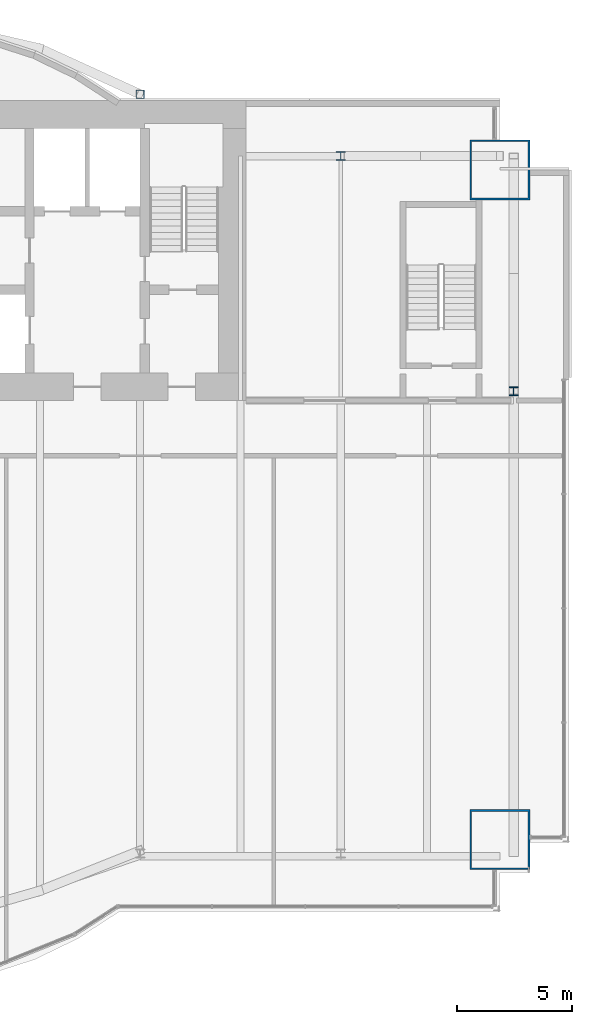
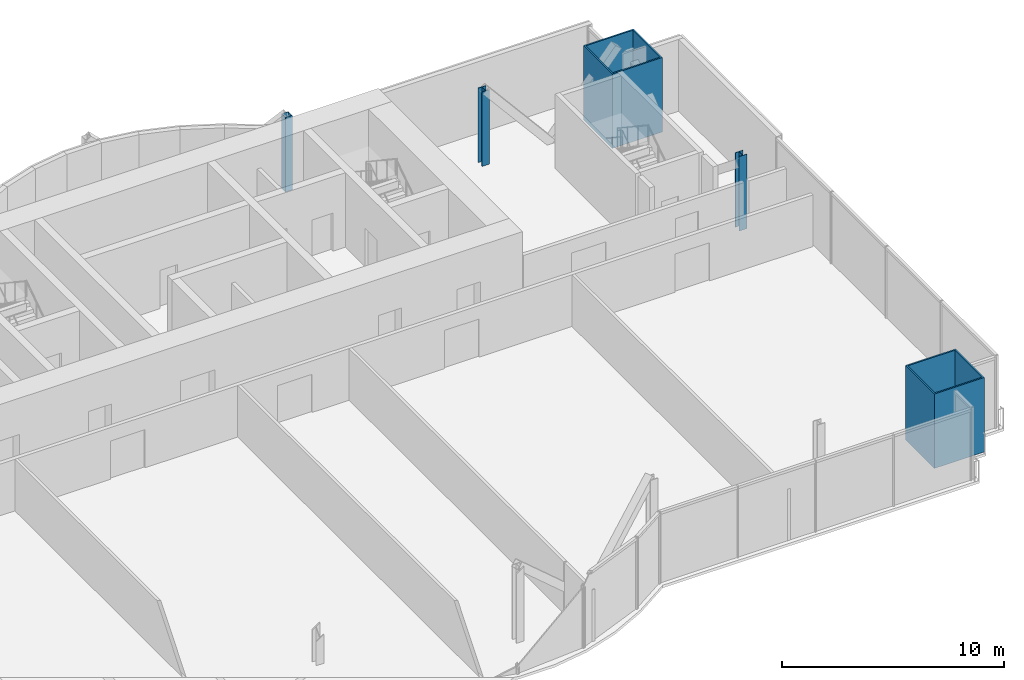
# One storey, part 4 of 21: 5 columns.
"""IFC4 building model written with IfcOpenShell, lengths in metres."""

from ifc_helpers import new_model, si_unit, direction, frame, origin, origin_2d, place, context, subcontext, project, spatial, hollow_rectangle, i_section, extrude, material, material_profile, profile_set, type_object, element, save


model = new_model("IFC4")

# Units and contexts
model_context = context("Model", 3, precision=1e-05, world=origin(), true_north=direction((0.0, 1.0)))
body_context = subcontext(model_context, "Body", "Model", "MODEL_VIEW")
ifc_project = project(units=[si_unit("LENGTHUNIT", "METRE"), si_unit("AREAUNIT", "SQUARE_METRE"), si_unit("VOLUMEUNIT", "CUBIC_METRE"), si_unit("PLANEANGLEUNIT", "RADIAN"), si_unit("MASSUNIT", "GRAM", prefix="KILO")], contexts=[model_context])

# Site, building, storey
site_placement = place(None, origin())
site = spatial("IfcSite", under=ifc_project, at=site_placement, CompositionType="ELEMENT")
building_placement = place(site_placement, origin())
building = spatial("IfcBuilding", under=site, at=building_placement, Name="Bicima Exchange Tower", CompositionType="ELEMENT")
storey_placement = place(building_placement, frame((0.0, 0.0, 156.800048828125)))
storey = spatial("IfcBuildingStorey", under=building, at=storey_placement, Name="L34", CompositionType="ELEMENT", Elevation=156.800048828125)

# Columns
ifc_material_1 = material(Name="Steel ASTM A572 Gr 50", Category="steel")
ifc_material_profile_1 = material_profile(ifc_material_1, hollow_rectangle(XDim=2.60009765625, YDim=2.60009765625, WallThickness=0.080078125, at=origin_2d()))
ifc_profile_set_1 = profile_set([ifc_material_profile_1], Name="Steel ASTM A572 Gr 50")
column_type_1 = type_object("IfcColumnType", Name="Mega column BOX 2600x2600x80", PredefinedType="COLUMN", material=ifc_profile_set_1)
for number, where, z_axis, x_axis, name in (
    (1, (33.0, -32.0458984375, 0.0), (0.0, 0.0, 1.0), (1.0, 0.0, 0.0), "Mega column mega+33.0f"),
    (2, (33.0, -3.0, 0.0), (0.0, 0.0, 1.0), (1.0, 0.0, 0.0), "Mega column mega+33.0r"),
):
    element("IfcColumn", number, at=place(storey_placement, frame(where, z_axis=z_axis, x_axis=x_axis)), inside=storey, type_object=column_type_1, Name=name, PredefinedType="COLUMN", context=body_context, shape_type="SweptSolid", body=[
        extrude(hollow_rectangle(XDim=2.60009765625, YDim=2.60009765625, WallThickness=0.080078125, at=origin_2d()), origin(), (0.0, 0.0, 1.0), 4.099853515625),
    ])
ifc_material_2 = material(Name="Steel ASTM A992 Gr 50", Category="steel")
ifc_material_profile_2 = material_profile(ifc_material_2, i_section(OverallWidth=0.396240234375, OverallDepth=0.381103515625, WebThickness=0.01904296875, FlangeThickness=0.0302734375, at=origin_2d()))
ifc_profile_set_2 = profile_set([ifc_material_profile_2], Name="Steel ASTM A992 Gr 50")
column_type_2 = type_object("IfcColumnType", Name="Perimeter column W14x159", PredefinedType="COLUMN", material=ifc_profile_set_2)
for number, where, z_axis, x_axis, name in (
    (3, (26.10009765625, -2.39990234375, 0.0), (0.0, 0.0, 1.0), (1.0, 0.0, 0.0), "Perimeter column grav+26.1r"),
    (4, (33.60009765625, -12.60009765625, 0.0), (0.0, 0.0, 1.0), (1.0, 0.0, 0.0), "End column end+33.6e"),
):
    element("IfcColumn", number, at=place(storey_placement, frame(where, z_axis=z_axis, x_axis=x_axis)), inside=storey, type_object=column_type_2, Name=name, PredefinedType="COLUMN", context=body_context, shape_type="SweptSolid", body=[
        extrude(i_section(OverallWidth=0.396240234375, OverallDepth=0.381103515625, WebThickness=0.01904296875, FlangeThickness=0.0302734375, at=origin_2d()), origin(), (0.0, 0.0, 1.0), 4.099853515625),
    ])
ifc_material_profile_3 = material_profile(ifc_material_1, hollow_rectangle(XDim=0.355712890625, YDim=0.355712890625, WallThickness=0.01171875, at=origin_2d()))
ifc_profile_set_3 = profile_set([ifc_material_profile_3], Name="Steel ASTM A572 Gr 50")
column_type_3 = type_object("IfcColumnType", Name="Rear pilaster HSS14x14x1/2", PredefinedType="COLUMN", material=ifc_profile_set_3)
column_placement = place(storey_placement, frame((17.39990234375, 0.278076171875, 0.0), z_axis=(0.0, 0.0, 1.0), x_axis=(1.0, 0.0, 0.0)))
element("IfcColumn", 5, at=column_placement, inside=storey, type_object=column_type_3, Name="Rear pilaster rexo+17.4r", PredefinedType="COLUMN", context=body_context, shape_type="SweptSolid", body=[
    extrude(hollow_rectangle(XDim=0.355712890625, YDim=0.355712890625, WallThickness=0.01171875, at=origin_2d()), origin(), (0.0, 0.0, 1.0), 4.099853515625),
])

save(model, "model.ifc")
